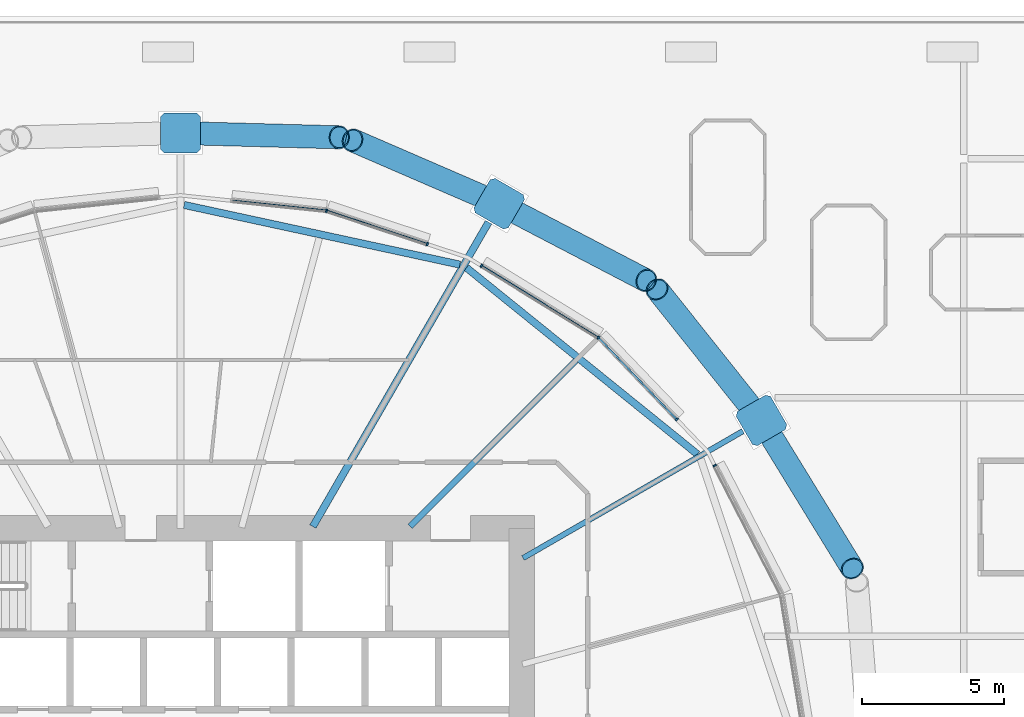
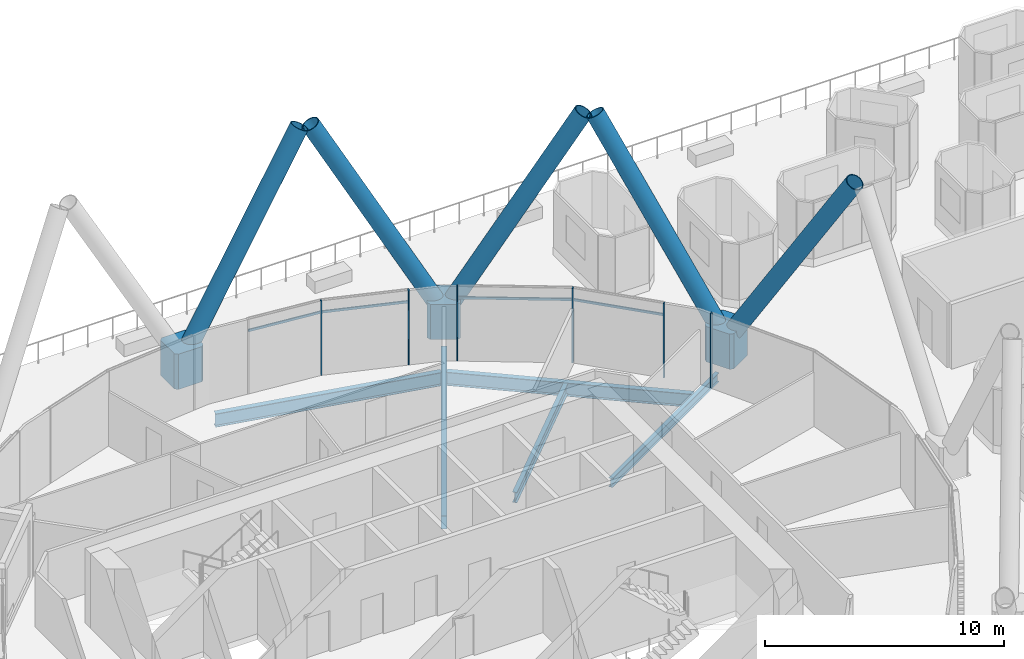
# One storey, part 11 of 47: 18 members, 5 beams, 1 element without a shape of its own.
"""IFC4 building model written with IfcOpenShell, lengths in metres."""

from ifc_helpers import new_model, si_unit, direction, frame, origin, origin_2d, place, context, subcontext, project, spatial, polyline, rectangle, hollow_circle, i_section, outline, extrude, material, material_profile, profile_set, type_object, element, aggregate, save


model = new_model("IFC4")

# Units and contexts
model_context = context("Model", 3, precision=1e-05, world=origin(), true_north=direction((0.0, 1.0)))
body_context = subcontext(model_context, "Body", "Model", "MODEL_VIEW")
ifc_project = project(units=[si_unit("LENGTHUNIT", "METRE"), si_unit("AREAUNIT", "SQUARE_METRE"), si_unit("VOLUMEUNIT", "CUBIC_METRE"), si_unit("PLANEANGLEUNIT", "RADIAN"), si_unit("MASSUNIT", "GRAM", prefix="KILO")], contexts=[model_context])

# Site, building, storey
site_placement = place(None, origin())
site = spatial("IfcSite", under=ifc_project, at=site_placement, CompositionType="ELEMENT")
building_placement = place(site_placement, origin())
building = spatial("IfcBuilding", under=site, at=building_placement, Name="Rimbun Link Towers", CompositionType="ELEMENT")
storey_placement = place(building_placement, frame((0.0, 0.0, 30.0)))
storey = spatial("IfcBuildingStorey", under=building, at=storey_placement, Name="L06", CompositionType="ELEMENT", Elevation=30.0)

# Curtain wall, members
ifc_material_1 = material(Name="Aluminium 6063-T6 and low-iron glass", Category="aluminium")
curtain_wall_type = type_object("IfcCurtainWallType", Name="CW1 unitised vision wall", PredefinedType="NOTDEFINED", material=ifc_material_1)
curtain_wall_placement = place(storey_placement, origin())
curtain_wall = element("IfcCurtainWall", 1, at=curtain_wall_placement, inside=storey, type_object=curtain_wall_type, Name="CW1 L06 T1", PredefinedType="NOTDEFINED")
ifc_material_2 = material(Name="Aluminium 6063-T6", Category="aluminium")
ifc_material_profile_1 = material_profile(ifc_material_2, rectangle(XDim=0.1201171875, YDim=0.06005859375, at=origin_2d()), Name="MULLION 60X120")
ifc_profile_set_1 = profile_set([ifc_material_profile_1], Name="Aluminium 6063-T6")
member_type_1 = type_object("IfcMemberType", Name="CW1 mullion 60X120", PredefinedType="MULLION", material=ifc_profile_set_1)
member_1_placement = place(storey_placement, frame((-12.959228515625, 10.211181640625, 0.0), z_axis=(0.0, 0.0, 1.0), x_axis=(0.888152693678, 0.459548466118, 0.0)))
member_1 = element("IfcMember", 2, at=member_1_placement, type_object=member_type_1, Name="CW1 mullion", PredefinedType="MULLION", context=body_context, shape_type="SweptSolid", body=[
    extrude(rectangle(XDim=0.1201171875, YDim=0.06005859375, at=origin_2d()), origin(), (0.0, 0.0, 1.0), 3.800048828125),
])
member_2_placement = place(storey_placement, frame((-17.051513671875, 14.70751953125, 0.0), z_axis=(0.0, 0.0, 1.0), x_axis=(0.627666129139, 0.778482646134, 0.0)))
member_2 = element("IfcMember", 3, at=member_2_placement, type_object=member_type_1, Name="CW1 mullion", PredefinedType="MULLION", context=body_context, shape_type="SweptSolid", body=[
    extrude(rectangle(XDim=0.1201171875, YDim=0.06005859375, at=origin_2d()), origin(), (0.0, 0.0, 1.0), 3.800048828125),
])
member_3_placement = place(storey_placement, frame((-14.294677734375, 11.83251953125, 0.0), z_axis=(0.0, 0.0, 1.0), x_axis=(0.721844292424, 0.692055501744, 0.0)))
member_3 = element("IfcMember", 4, at=member_3_placement, type_object=member_type_1, Name="CW1 mullion", PredefinedType="MULLION", context=body_context, shape_type="SweptSolid", body=[
    extrude(rectangle(XDim=0.1201171875, YDim=0.06005859375, at=origin_2d()), origin(), (0.0, 0.0, 1.0), 3.800048828125),
])
member_4_placement = place(storey_placement, frame((-21.163818359375, 17.23291015625, 0.0), z_axis=(0.0, 0.0, 1.0), x_axis=(0.523232417417, 0.85219002421, 0.0)))
member_4 = element("IfcMember", 5, at=member_4_placement, type_object=member_type_1, Name="CW1 mullion", PredefinedType="MULLION", context=body_context, shape_type="SweptSolid", body=[
    extrude(rectangle(XDim=0.1201171875, YDim=0.06005859375, at=origin_2d()), origin(), (0.0, 0.0, 1.0), 3.800048828125),
])
member_5_placement = place(storey_placement, frame((-26.615478515625, 19.17333984375, 0.0), z_axis=(0.0, 0.0, 1.0), x_axis=(0.210876994137, 0.97751260521, 0.0)))
member_5 = element("IfcMember", 6, at=member_5_placement, type_object=member_type_1, Name="CW1 mullion", PredefinedType="MULLION", context=body_context, shape_type="SweptSolid", body=[
    extrude(rectangle(XDim=0.1201171875, YDim=0.06005859375, at=origin_2d()), origin(), (0.0, 0.0, 1.0), 3.800048828125),
])
member_6_placement = place(storey_placement, frame((-23.06884765625, 17.998291015625, 0.0), z_axis=(0.0, 0.0, 1.0), x_axis=(0.314563730837, 0.949236355837, 0.0)))
member_6 = element("IfcMember", 7, at=member_6_placement, type_object=member_type_1, Name="CW1 mullion", PredefinedType="MULLION", context=body_context, shape_type="SweptSolid", body=[
    extrude(rectangle(XDim=0.1201171875, YDim=0.06005859375, at=origin_2d()), origin(), (0.0, 0.0, 1.0), 3.800048828125),
])
ifc_material_3 = material(Name="Aluminium 6063-T6", Category="aluminium")
ifc_material_profile_2 = material_profile(ifc_material_3, rectangle(XDim=0.06005859375, YDim=0.1201171875, at=origin_2d()), Name="TRANSOM 60X120")
ifc_profile_set_2 = profile_set([ifc_material_profile_2], Name="Aluminium 6063-T6")
member_type_2 = type_object("IfcMemberType", Name="CW1 transom 60X120", PredefinedType="USERDEFINED", material=ifc_profile_set_2)
member_7_placement = place(storey_placement, frame((-17.026611328125, 14.67919921875, 3.199951171875), z_axis=(0.692047546787, -0.721851919015, 0.0), x_axis=(0.721851919015, 0.692047546787, 0.0)))
member_7 = element("IfcMember", 8, at=member_7_placement, type_object=member_type_2, Name="CW1 transom", ObjectType="TRANSOM", PredefinedType="USERDEFINED", context=body_context, shape_type="SweptSolid", body=[
    extrude(rectangle(XDim=0.06005859375, YDim=0.1201171875, at=origin_2d()), origin(), (0.0, 0.0, 1.0), 3.91552734375),
])
member_8_placement = place(storey_placement, frame((-21.139404296875, 17.215576171875, 3.199951171875), z_axis=(0.85218286568, -0.523244076356, 0.0), x_axis=(0.523244076356, 0.85218286568, 0.0)))
member_8 = element("IfcMember", 9, at=member_8_placement, type_object=member_type_2, Name="CW1 transom", ObjectType="TRANSOM", PredefinedType="USERDEFINED", context=body_context, shape_type="SweptSolid", body=[
    extrude(rectangle(XDim=0.06005859375, YDim=0.1201171875, at=origin_2d()), origin(), (0.0, 0.0, 1.0), 4.75830078125),
])
member_9_placement = place(storey_placement, frame((-26.58154296875, 19.160400390625, 3.199951171875), z_axis=(0.949227381323, -0.314590811288, 0.0), x_axis=(0.314590811288, 0.949227381323, 0.0)))
member_9 = element("IfcMember", 10, at=member_9_placement, type_object=member_type_2, Name="CW1 transom", ObjectType="TRANSOM", PredefinedType="USERDEFINED", context=body_context, shape_type="SweptSolid", body=[
    extrude(rectangle(XDim=0.06005859375, YDim=0.1201171875, at=origin_2d()), origin(), (0.0, 0.0, 1.0), 3.669921875),
])
member_10_placement = place(storey_placement, frame((-29.924072265625, 19.520263671875, 3.199951171875), z_axis=(0.994496504688, -0.104769757862, 0.0), x_axis=(0.104769757862, 0.994496504688, 0.0)))
member_10 = element("IfcMember", 11, at=member_10_placement, type_object=member_type_2, Name="CW1 transom", ObjectType="TRANSOM", PredefinedType="USERDEFINED", context=body_context, shape_type="SweptSolid", body=[
    extrude(rectangle(XDim=0.06005859375, YDim=0.1201171875, at=origin_2d()), origin(), (0.0, 0.0, 1.0), 3.290283203125),
])
aggregate(curtain_wall, [member_1, member_2, member_3, member_4, member_5, member_6, member_7, member_8, member_9, member_10])

# Members
ifc_material_4 = material(Name="Steel S460NH", Category="steel")
ifc_material_profile_3 = material_profile(ifc_material_4, hollow_circle(Radius=0.406494140625, WallThickness=0.0400390625, at=origin_2d()), Name="Diagrid diagonal CHS 813x40")
ifc_profile_set_3 = profile_set([ifc_material_profile_3], Name="Steel S460NH")
member_type_3 = type_object("IfcMemberType", Name="Diagrid diagonal CHS 813x40", PredefinedType="BRACE", material=ifc_profile_set_3)
member_11_placement = place(storey_placement, frame((-11.18115234375, 11.576171875, 1.327392578125), z_axis=(0.271212269758, -0.442115820211, 0.854972225427), x_axis=(0.852396697554, 0.522895658806, 0.0)))
element("IfcMember", 12, at=member_11_placement, inside=storey, type_object=member_type_3, Name="Diagrid diagonal T1 L06-L09 02a", PredefinedType="BRACE", context=body_context, shape_type="SweptSolid", body=[
    extrude(hollow_circle(Radius=0.406494140625, WallThickness=0.0400390625, at=origin_2d()), origin(), (0.0, 0.0, 1.0), 11.281005859375),
])
member_12_placement = place(storey_placement, frame((-11.47412109375, 11.994873046875, 1.33154296875), z_axis=(-0.314715634779, 0.395089031572, 0.863051983578), x_axis=(-0.782176229335, -0.623057257612, 0.0)))
element("IfcMember", 13, at=member_12_placement, inside=storey, type_object=member_type_3, Name="Diagrid diagonal T1 L06-L09 02b", PredefinedType="BRACE", context=body_context, shape_type="SweptSolid", body=[
    extrude(hollow_circle(Radius=0.406494140625, WallThickness=0.0400390625, at=origin_2d()), origin(), (0.0, 0.0, 1.0), 11.166259765625),
])
member_13_placement = place(storey_placement, frame((-20.316650390625, 19.30224609375, 1.33251953125), z_axis=(0.444435052233, -0.231886784036, 0.865277992171), x_axis=(0.462577964865, 0.886578607018, 0.0)))
element("IfcMember", 14, at=member_13_placement, inside=storey, type_object=member_type_3, Name="Diagrid diagonal T1 L06-L09 04a", PredefinedType="BRACE", context=body_context, shape_type="SweptSolid", body=[
    extrude(hollow_circle(Radius=0.406494140625, WallThickness=0.0400390625, at=origin_2d()), origin(), (0.0, 0.0, 1.0), 11.134765625),
])
member_14_placement = place(storey_placement, frame((-20.7626953125, 19.514892578125, 1.33642578125), z_axis=(-0.447630338093, 0.193694931894, 0.872988747795), x_axis=(-0.397127145688, -0.917763602546, 0.0)))
element("IfcMember", 15, at=member_14_placement, inside=storey, type_object=member_type_3, Name="Diagrid diagonal T1 L06-L09 04b", PredefinedType="BRACE", context=body_context, shape_type="SweptSolid", body=[
    extrude(hollow_circle(Radius=0.406494140625, WallThickness=0.0400390625, at=origin_2d()), origin(), (0.0, 0.0, 1.0), 11.027587890625),
])
member_15_placement = place(storey_placement, frame((-31.50732421875, 21.897705078125, 1.337158203125), z_axis=(0.485213743041, -0.01303896901, 0.87429835231), x_axis=(0.026862931598, 0.999639126338, 0.0)))
element("IfcMember", 16, at=member_15_placement, inside=storey, type_object=member_type_3, Name="Diagrid diagonal T1 L06-L09 06a", PredefinedType="BRACE", context=body_context, shape_type="SweptSolid", body=[
    extrude(hollow_circle(Radius=0.406494140625, WallThickness=0.0400390625, at=origin_2d()), origin(), (0.0, 0.0, 1.0), 11.009765625),
])
ifc_material_5 = material(Name="Cast steel G20Mn5+QT, Rp0.2 300 MPa", Category="steel")
ifc_material_profile_4 = material_profile(ifc_material_5, outline(polyline([(0.699951171875, -0.570068359375), (0.699951171875, 0.570068359375), (0.570068359375, 0.699951171875), (-0.570068359375, 0.699951171875), (-0.699951171875, 0.570068359375), (-0.699951171875, -0.570068359375), (-0.570068359375, -0.699951171875), (0.570068359375, -0.699951171875), (0.699951171875, -0.570068359375)])), Name="NODE 1400x1400")
ifc_profile_set_4 = profile_set([ifc_material_profile_4], Name="Cast steel G20Mn5+QT, Rp0.2 300 MPa")
member_type_4 = type_object("IfcMemberType", Name="Diagrid node cast 1400", PredefinedType="USERDEFINED", material=ifc_profile_set_4)
for number, where, z_axis, x_axis, name in (
    (17, (-11.316650390625, 11.797119140625, 0.0), (0.0, 0.0, 1.0), (0.866025403784, 0.5, 0.0), "Diagrid node L06 02"),
    (18, (-20.538818359375, 19.418212890625, 0.0), (0.0, 0.0, 1.0), (0.5, 0.866025403784, 0.0), "Diagrid node L06 04"),
    (19, (-31.75, 21.904296875, 0.0), (0.0, 0.0, 1.0), (0.0, 1.0, 0.0), "Diagrid node L06 06"),
):
    element("IfcMember", number, at=place(storey_placement, frame(where, z_axis=z_axis, x_axis=x_axis)), inside=storey, type_object=member_type_4, Name=name, ObjectType="Diagrid node", PredefinedType="USERDEFINED", context=body_context, shape_type="SweptSolid", body=[
        extrude(outline(polyline([(0.699951171875, -0.570068359375), (0.699951171875, 0.570068359375), (0.570068359375, 0.699951171875), (-0.570068359375, 0.699951171875), (-0.699951171875, 0.570068359375), (-0.699951171875, -0.570068359375), (-0.570068359375, -0.699951171875), (0.570068359375, -0.699951171875), (0.699951171875, -0.570068359375)])), origin(), (0.0, 0.0, 1.0), 1.800048828125),
    ])

# Beams
ifc_material_6 = material(Name="Steel S355J2", Category="steel")
ifc_material_profile_5 = material_profile(ifc_material_6, i_section(OverallWidth=0.18994140625, OverallDepth=0.453369140625, WebThickness=0.008544921875, FlangeThickness=0.0126953125, at=origin_2d()), Name="UB 457x191x67")
ifc_profile_set_5 = profile_set([ifc_material_profile_5], Name="Steel S355J2")
beam_type_1 = type_object("IfcBeamType", Name="UB 457x191x67", PredefinedType="BEAM", material=ifc_profile_set_5)
beam_1_placement = place(storey_placement, frame((-19.70166015625, 6.9560546875, -0.526611328125), z_axis=(0.866022633403, 0.500004798411, 0.0), x_axis=(-0.500004798411, 0.866022633403, 0.0)))
element("IfcBeam", 20, at=beam_1_placement, inside=storey, type_object=beam_type_1, Name="Radial beam T1 L06 02", PredefinedType="BEAM", context=body_context, shape_type="SweptSolid", body=[
    extrude(i_section(OverallWidth=0.18994140625, OverallDepth=0.453369140625, WebThickness=0.008544921875, FlangeThickness=0.0126953125, at=origin_2d()), origin(), (0.0, 0.0, 1.0), 8.93212890625),
])
ifc_material_7 = material(Name="Steel S355J2", Category="steel")
ifc_material_profile_6 = material_profile(ifc_material_7, i_section(OverallWidth=0.209228515625, OverallDepth=0.533203125, WebThickness=0.010009765625, FlangeThickness=0.015625, at=origin_2d()), Name="UB 533x210x92")
ifc_profile_set_6 = profile_set([ifc_material_profile_6], Name="Steel S355J2")
beam_type_2 = type_object("IfcBeamType", Name="UB 533x210x92", PredefinedType="BEAM", material=ifc_profile_set_6)
beam_2_placement = place(storey_placement, frame((-23.67529296875, 8.07470703125, -0.56640625), z_axis=(0.707106781187, 0.707106781187, 0.0), x_axis=(-0.707106781187, 0.707106781187, 0.0)))
element("IfcBeam", 21, at=beam_2_placement, inside=storey, type_object=beam_type_2, Name="Radial beam T1 L06 03", PredefinedType="BEAM", context=body_context, shape_type="SweptSolid", body=[
    extrude(i_section(OverallWidth=0.209228515625, OverallDepth=0.533203125, WebThickness=0.010009765625, FlangeThickness=0.015625, at=origin_2d()), origin(), (0.0, 0.0, 1.0), 8.239501953125),
])
ifc_material_8 = material(Name="Steel S355J2", Category="steel")
ifc_material_profile_7 = material_profile(ifc_material_8, i_section(OverallWidth=0.253662109375, OverallDepth=0.68359375, WebThickness=0.012451171875, FlangeThickness=0.01904296875, at=origin_2d()), Name="UB 686x254x140")
ifc_profile_set_7 = profile_set([ifc_material_profile_7], Name="Steel S355J2")
beam_type_3 = type_object("IfcBeamType", Name="UB 686x254x140", PredefinedType="BEAM", material=ifc_profile_set_7)
beam_3_placement = place(storey_placement, frame((-27.093994140625, 8.064208984375, -0.641845703125), z_axis=(0.499992594562, 0.866029679274, 0.0), x_axis=(-0.866029679274, 0.499992594562, 0.0)))
element("IfcBeam", 22, at=beam_3_placement, inside=storey, type_object=beam_type_3, Name="Radial beam T1 L06 04", PredefinedType="BEAM", context=body_context, shape_type="SweptSolid", body=[
    extrude(i_section(OverallWidth=0.253662109375, OverallDepth=0.68359375, WebThickness=0.012451171875, FlangeThickness=0.01904296875, at=origin_2d()), origin(), (0.0, 0.0, 1.0), 12.360595703125),
])
beam_4_placement = place(storey_placement, frame((-13.568115234375, 10.60791015625, -0.641845703125), z_axis=(-0.778006680284, 0.628256003102, 0.0), x_axis=(-0.628256003102, -0.778006680284, 0.0)))
element("IfcBeam", 23, at=beam_4_placement, inside=storey, type_object=beam_type_3, Name="Edge beam T1 L06 02-04", PredefinedType="BEAM", context=body_context, shape_type="SweptSolid", body=[
    extrude(i_section(OverallWidth=0.253662109375, OverallDepth=0.68359375, WebThickness=0.012451171875, FlangeThickness=0.01904296875, at=origin_2d()), origin(), (0.0, 0.0, 1.0), 10.4404296875),
])
beam_5_placement = place(storey_placement, frame((-21.922607421875, 17.27685546875, -0.641845703125), z_axis=(-0.977390124833, 0.211443949734, 0.0), x_axis=(-0.211443949734, -0.977390124833, 0.0)))
element("IfcBeam", 24, at=beam_5_placement, inside=storey, type_object=beam_type_3, Name="Edge beam T1 L06 04-06", PredefinedType="BEAM", context=body_context, shape_type="SweptSolid", body=[
    extrude(i_section(OverallWidth=0.253662109375, OverallDepth=0.68359375, WebThickness=0.012451171875, FlangeThickness=0.01904296875, at=origin_2d()), origin(), (0.0, 0.0, 1.0), 9.924072265625),
])

save(model, "model.ifc")
